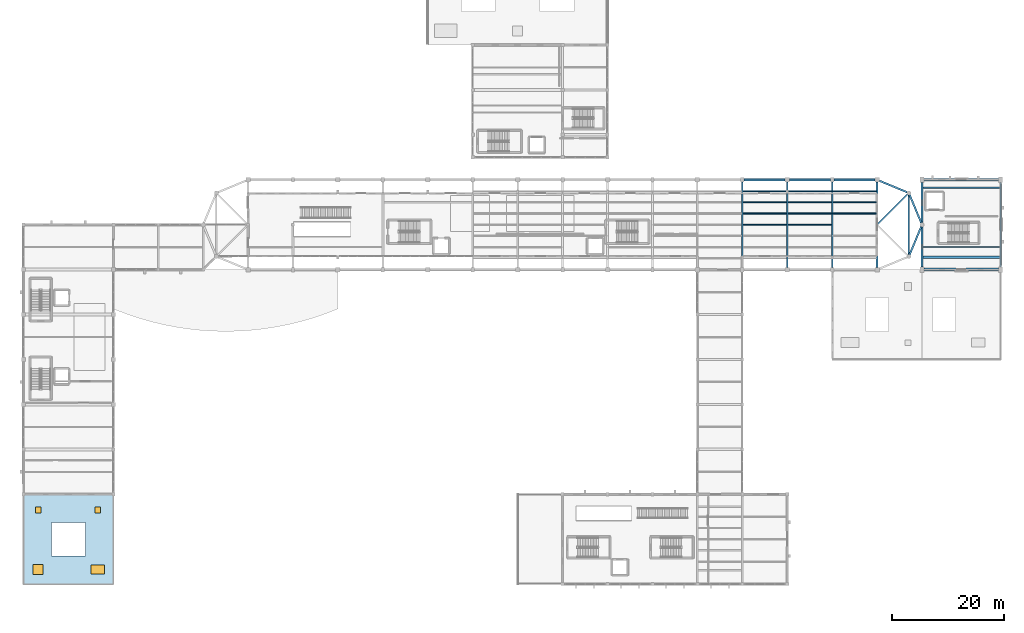
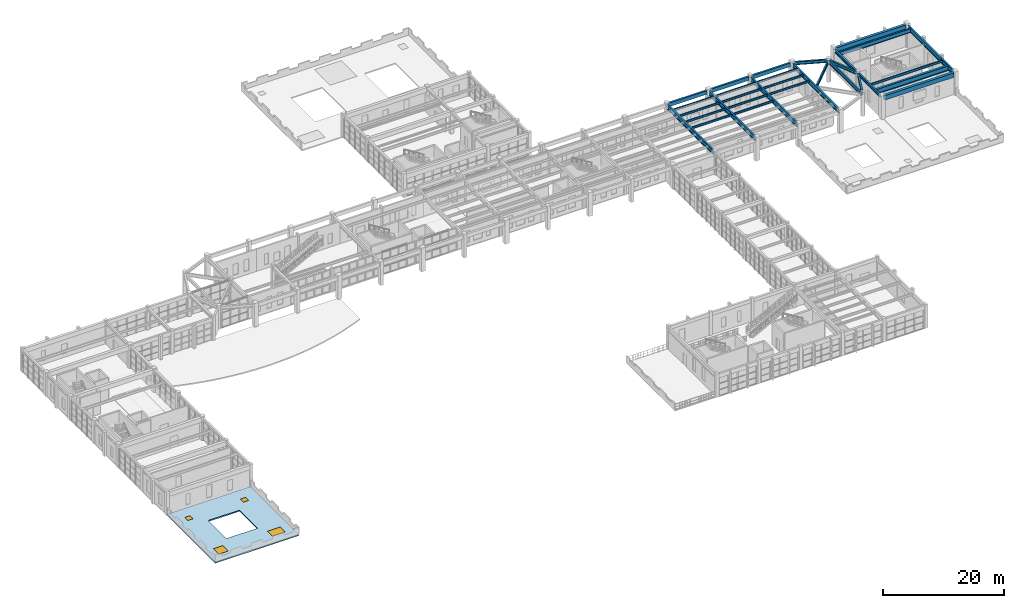
# One storey, part 27 of 59: 31 beams, 2 doors, 2 windows, 1 slab, 4 openings.
"""IFC4 building model written with IfcOpenShell, lengths in metres."""

from ifc_helpers import new_model, si_unit, direction, frame, origin, origin_2d, place, context, subcontext, project, spatial, polyline, rectangle, i_section, outline, extrude, material, layer, layer_set, material_profile, profile_set, type_object, element, fill, save


model = new_model("IFC4")

# Units and contexts
model_context = context("Model", 3, precision=1e-05, world=origin(), true_north=direction((0.0, 1.0)))
body_context = subcontext(model_context, "Body", "Model", "MODEL_VIEW")
ifc_project = project(units=[si_unit("LENGTHUNIT", "METRE"), si_unit("AREAUNIT", "SQUARE_METRE"), si_unit("VOLUMEUNIT", "CUBIC_METRE"), si_unit("PLANEANGLEUNIT", "RADIAN"), si_unit("MASSUNIT", "GRAM", prefix="KILO")], contexts=[model_context])

# Site, building, storey
site_placement = place(None, origin())
site = spatial("IfcSite", under=ifc_project, at=site_placement, CompositionType="ELEMENT")
building_placement = place(site_placement, origin())
building = spatial("IfcBuilding", under=site, at=building_placement, Name="Serraluz Foothill Cableway Terminal", CompositionType="ELEMENT")
storey_placement = place(building_placement, frame((0.0, 0.0, 4.800048828125)))
storey = spatial("IfcBuildingStorey", under=building, at=storey_placement, Name="L01", CompositionType="ELEMENT", Elevation=4.800048828125)

# Beams
ifc_material_1 = material(Name="Concrete C35/45 (f'c 35 MPa)", Category="concrete")
ifc_material_profile_1 = material_profile(ifc_material_1, rectangle(XDim=0.5, YDim=0.89990234375, at=origin_2d()), Name="RC 500x900")
ifc_profile_set_1 = profile_set([ifc_material_profile_1], Name="Concrete C35/45 (f'c 35 MPa)")
beam_type_1 = type_object("IfcBeamType", Name="TYP-BM-RC500X900", PredefinedType="BEAM", material=ifc_profile_set_1)
for number, where, z_axis, x_axis, name in (
    (1, (160.345947265625, 56.0, 4.050048828125), (1.0, 0.0, 0.0), (0.0, 1.0, 0.0), "Primary Girder BM-X-L01-0215"),
    (2, (160.345947265625, 72.0, 4.050048828125), (1.0, 0.0, 0.0), (0.0, 1.0, 0.0), "Primary Girder BM-X-L01-0233"),
):
    element("IfcBeam", number, at=place(storey_placement, frame(where, z_axis=z_axis, x_axis=x_axis)), inside=storey, type_object=beam_type_1, Name=name, PredefinedType="BEAM", context=body_context, shape_type="SweptSolid", body=[
        extrude(rectangle(XDim=0.5, YDim=0.89990234375, at=origin_2d()), origin(), (0.0, 0.0, 1.0), 13.30810546875),
    ])
ifc_material_2 = material(Name="Steel ASTM A992 Grade 50", Category="steel")
ifc_material_profile_2 = material_profile(ifc_material_2, i_section(OverallWidth=0.324951171875, OverallDepth=0.615966796875, WebThickness=0.013916015625, FlangeThickness=0.021484375, FilletRadius=0.01806640625, at=origin_2d()), Name="W24X117")
ifc_profile_set_2 = profile_set([ifc_material_profile_2], Name="Steel ASTM A992 Grade 50")
beam_type_2 = type_object("IfcBeamType", Name="TYP-BM-W24X117", PredefinedType="BEAM", material=ifc_profile_set_2)
for number, where, z_axis, x_axis, name in (
    (3, (160.0, 56.49609375, 4.19189453125), (0.0, 1.0, 0.0), (-1.0, 0.0, 0.0), "Transverse Girder BM-Y-L01-0293"),
    (4, (160.0, 64.37109375, 4.19189453125), (0.0, 1.0, 0.0), (-1.0, 0.0, 0.0), "Transverse Girder BM-Y-L01-0294"),
):
    element("IfcBeam", number, at=place(storey_placement, frame(where, z_axis=z_axis, x_axis=x_axis)), inside=storey, type_object=beam_type_2, Name=name, PredefinedType="BEAM", context=body_context, shape_type="SweptSolid", body=[
        extrude(i_section(OverallWidth=0.324951171875, OverallDepth=0.615966796875, WebThickness=0.013916015625, FlangeThickness=0.021484375, FilletRadius=0.01806640625, at=origin_2d()), origin(), (0.0, 0.0, 1.0), 7.1328125),
    ])
for number, where, z_axis, x_axis, name in (
    (5, (157.787109375, 58.6572265625, 4.1669921875), (0.382662116449, 0.923888361565, 0.0), (-0.923888361565, 0.382662116449, 0.0), "Curved End Ring Beam E-L01-2"),
    (6, (159.869873046875, 64.314208984375, 4.1669921875), (-0.382662116449, 0.923888361565, 0.0), (-0.923888361565, -0.382662116449, 0.0), "Curved End Ring Beam E-L01-3"),
    (7, (157.3427734375, 69.787109375, 4.1669921875), (-0.923888361565, 0.382662116449, 0.0), (-0.382662116449, -0.923888361565, 0.0), "Curved End Ring Beam E-L01-4"),
):
    element("IfcBeam", number, at=place(storey_placement, frame(where, z_axis=z_axis, x_axis=x_axis)), inside=storey, type_object=beam_type_2, Name=name, PredefinedType="BEAM", context=body_context, shape_type="SweptSolid", body=[
        extrude(i_section(OverallWidth=0.324951171875, OverallDepth=0.615966796875, WebThickness=0.013916015625, FlangeThickness=0.021484375, FilletRadius=0.01806640625, at=origin_2d()), origin(), (0.0, 0.0, 1.0), 5.44287109375),
    ])
ifc_material_profile_3 = material_profile(ifc_material_2, i_section(OverallWidth=0.256103515625, OverallDepth=0.693115234375, WebThickness=0.014404296875, FlangeThickness=0.023681640625, FilletRadius=0.02001953125, at=origin_2d()), Name="W27X114")
ifc_profile_set_3 = profile_set([ifc_material_profile_3], Name="Steel ASTM A992 Grade 50")
beam_type_3 = type_object("IfcBeamType", Name="TYP-BM-W27X114", PredefinedType="BEAM", material=ifc_profile_set_3)
beam_1_placement = place(storey_placement, frame((152.113037109375, 64.113037109375, 4.12841796875), z_axis=(0.707106781187, 0.707106781187, 0.0), x_axis=(-0.707106781187, 0.707106781187, 0.0)))
element("IfcBeam", 8, at=beam_1_placement, inside=storey, type_object=beam_type_3, Name="Radial Station Deck Girder E-L01-2", PredefinedType="BEAM", context=body_context, shape_type="SweptSolid", body=[
    extrude(i_section(OverallWidth=0.256103515625, OverallDepth=0.693115234375, WebThickness=0.014404296875, FlangeThickness=0.023681640625, FilletRadius=0.02001953125, at=origin_2d()), origin(), (0.0, 0.0, 1.0), 7.500244140625),
])
ifc_material_profile_4 = material_profile(ifc_material_2, i_section(OverallWidth=0.26806640625, OverallDepth=0.77001953125, WebThickness=0.015625, FlangeThickness=0.025390625, FilletRadius=0.02197265625, at=origin_2d()), Name="W30X132")
ifc_profile_set_4 = profile_set([ifc_material_profile_4], Name="Steel ASTM A992 Grade 50")
beam_type_4 = type_object("IfcBeamType", Name="TYP-BM-W30X132", PredefinedType="BEAM", material=ifc_profile_set_4)
beam_2_placement = place(storey_placement, frame((157.659912109375, 58.7109375, 4.08984375), z_axis=(0.0, 1.0, 0.0), x_axis=(-1.0, 0.0, 0.0)))
element("IfcBeam", 9, at=beam_2_placement, inside=storey, type_object=beam_type_4, Name="Transverse Girder BM-Y-L01-0292", PredefinedType="BEAM", context=body_context, shape_type="SweptSolid", body=[
    extrude(i_section(OverallWidth=0.26806640625, OverallDepth=0.77001953125, WebThickness=0.015625, FlangeThickness=0.025390625, FilletRadius=0.02197265625, at=origin_2d()), origin(), (0.0, 0.0, 1.0), 10.578125),
])
ifc_material_profile_5 = material_profile(ifc_material_2, i_section(OverallWidth=0.2939453125, OverallDepth=0.85107421875, WebThickness=0.01611328125, FlangeThickness=0.02685546875, FilletRadius=0.02392578125, at=origin_2d()), Name="W33X152")
ifc_profile_set_5 = profile_set([ifc_material_profile_5], Name="Steel ASTM A992 Grade 50")
beam_type_5 = type_object("IfcBeamType", Name="TYP-BM-W33X152", PredefinedType="BEAM", material=ifc_profile_set_5)
beam_3_placement = place(storey_placement, frame((160.1201171875, 70.60009765625, 4.074462890625), z_axis=(1.0, 0.0, 0.0), x_axis=(0.0, 1.0, 0.0)))
element("IfcBeam", 10, at=beam_3_placement, inside=storey, type_object=beam_type_5, Name="Machinery Support Girder BM-BW-2", PredefinedType="BEAM", context=body_context, shape_type="SweptSolid", body=[
    extrude(i_section(OverallWidth=0.2939453125, OverallDepth=0.85107421875, WebThickness=0.01611328125, FlangeThickness=0.02685546875, FilletRadius=0.02392578125, at=origin_2d()), origin(), (0.0, 0.0, 1.0), 13.759765625),
])
ifc_material_profile_6 = material_profile(ifc_material_2, i_section(OverallWidth=0.30810546875, OverallDepth=0.927001953125, WebThickness=0.019287109375, FlangeThickness=0.031982421875, FilletRadius=0.02587890625, at=origin_2d()), Name="W36X194")
ifc_profile_set_6 = profile_set([ifc_material_profile_6], Name="Steel ASTM A992 Grade 50")
beam_type_6 = type_object("IfcBeamType", Name="TYP-BM-W36X194", PredefinedType="BEAM", material=ifc_profile_set_6)
beam_4_placement = place(storey_placement, frame((128.0, 56.4208984375, 4.011474609375), z_axis=(0.0, 1.0, 0.0), x_axis=(-1.0, 0.0, 0.0)))
element("IfcBeam", 11, at=beam_4_placement, inside=storey, type_object=beam_type_6, Name="Transverse Girder BM-Y-L01-0287", PredefinedType="BEAM", context=body_context, shape_type="SweptSolid", body=[
    extrude(i_section(OverallWidth=0.30810546875, OverallDepth=0.927001953125, WebThickness=0.019287109375, FlangeThickness=0.031982421875, FilletRadius=0.02587890625, at=origin_2d()), origin(), (0.0, 0.0, 1.0), 15.158203125),
])
beam_5_placement = place(storey_placement, frame((136.0, 56.39599609375, 4.011474609375), z_axis=(0.0, 1.0, 0.0), x_axis=(-1.0, 0.0, 0.0)))
element("IfcBeam", 12, at=beam_5_placement, inside=storey, type_object=beam_type_6, Name="Transverse Girder BM-Y-L01-0289", PredefinedType="BEAM", context=body_context, shape_type="SweptSolid", body=[
    extrude(i_section(OverallWidth=0.30810546875, OverallDepth=0.927001953125, WebThickness=0.019287109375, FlangeThickness=0.031982421875, FilletRadius=0.02587890625, at=origin_2d()), origin(), (0.0, 0.0, 1.0), 15.2080078125),
])
beam_6_placement = place(storey_placement, frame((144.0, 56.4208984375, 4.011474609375), z_axis=(0.0, 1.0, 0.0), x_axis=(-1.0, 0.0, 0.0)))
element("IfcBeam", 13, at=beam_6_placement, inside=storey, type_object=beam_type_6, Name="Transverse Girder BM-Y-L01-0290", PredefinedType="BEAM", context=body_context, shape_type="SweptSolid", body=[
    extrude(i_section(OverallWidth=0.30810546875, OverallDepth=0.927001953125, WebThickness=0.019287109375, FlangeThickness=0.031982421875, FilletRadius=0.02587890625, at=origin_2d()), origin(), (0.0, 0.0, 1.0), 15.158203125),
])
beam_7_placement = place(storey_placement, frame((152.0, 56.39599609375, 4.011474609375), z_axis=(0.0, 1.0, 0.0), x_axis=(-1.0, 0.0, 0.0)))
element("IfcBeam", 14, at=beam_7_placement, inside=storey, type_object=beam_type_6, Name="Transverse Girder BM-Y-L01-0291", PredefinedType="BEAM", context=body_context, shape_type="SweptSolid", body=[
    extrude(i_section(OverallWidth=0.30810546875, OverallDepth=0.927001953125, WebThickness=0.019287109375, FlangeThickness=0.031982421875, FilletRadius=0.02587890625, at=origin_2d()), origin(), (0.0, 0.0, 1.0), 15.2080078125),
])
beam_8_placement = place(storey_placement, frame((174.0, 56.49609375, 4.036376953125), z_axis=(0.0, 1.0, 0.0), x_axis=(-1.0, 0.0, 0.0)))
element("IfcBeam", 15, at=beam_8_placement, inside=storey, type_object=beam_type_6, Name="Transverse Girder BM-Y-L01-0295", PredefinedType="BEAM", context=body_context, shape_type="SweptSolid", body=[
    extrude(i_section(OverallWidth=0.30810546875, OverallDepth=0.927001953125, WebThickness=0.019287109375, FlangeThickness=0.031982421875, FilletRadius=0.02587890625, at=origin_2d()), origin(), (0.0, 0.0, 1.0), 15.0078125),
])
ifc_material_profile_7 = material_profile(ifc_material_2, i_section(OverallWidth=0.40087890625, OverallDepth=1.02197265625, WebThickness=0.01904296875, FlangeThickness=0.0361328125, FilletRadius=0.028076171875, at=origin_2d()), Name="W40X249")
ifc_profile_set_7 = profile_set([ifc_material_profile_7], Name="Steel ASTM A992 Grade 50")
beam_type_7 = type_object("IfcBeamType", Name="TYP-BM-W40X249", PredefinedType="BEAM", material=ifc_profile_set_7)
beam_9_placement = place(storey_placement, frame((160.1201171875, 58.199951171875, 3.989013671875), z_axis=(1.0, 0.0, 0.0), x_axis=(0.0, 1.0, 0.0)))
element("IfcBeam", 16, at=beam_9_placement, inside=storey, type_object=beam_type_7, Name="Machinery Support Girder BM-BW-1", PredefinedType="BEAM", context=body_context, shape_type="SweptSolid", body=[
    extrude(i_section(OverallWidth=0.40087890625, OverallDepth=1.02197265625, WebThickness=0.01904296875, FlangeThickness=0.0361328125, FilletRadius=0.028076171875, at=origin_2d()), origin(), (0.0, 0.0, 1.0), 13.759765625),
])
ifc_material_profile_8 = material_profile(ifc_material_2, i_section(OverallWidth=0.180908203125, OverallDepth=0.4169921875, WebThickness=0.010986328125, FlangeThickness=0.018310546875, FilletRadius=0.013916015625, at=origin_2d()), Name="W16X57")
ifc_profile_set_8 = profile_set([ifc_material_profile_8], Name="Steel ASTM A992 Grade 50")
beam_type_8 = type_object("IfcBeamType", Name="TYP-JS-W16X57", PredefinedType="JOIST", material=ifc_profile_set_8)
for number, where, z_axis, x_axis, name in (
    (17, (128.158935546875, 64.0, 4.266357421875), (1.0, 0.0, 0.0), (0.0, 1.0, 0.0), "Secondary Floor Joist JS-L01-0116"),
    (18, (128.158935546875, 68.0, 4.266357421875), (1.0, 0.0, 0.0), (0.0, 1.0, 0.0), "Secondary Floor Joist JS-L01-0117"),
    (19, (136.158935546875, 64.0, 4.266357421875), (1.0, 0.0, 0.0), (0.0, 1.0, 0.0), "Secondary Floor Joist JS-L01-0119"),
    (20, (136.158935546875, 68.0, 4.266357421875), (1.0, 0.0, 0.0), (0.0, 1.0, 0.0), "Secondary Floor Joist JS-L01-0120"),
    (21, (144.158935546875, 68.0, 4.266357421875), (1.0, 0.0, 0.0), (0.0, 1.0, 0.0), "Secondary Floor Joist JS-L01-0122"),
):
    element("IfcBeam", number, at=place(storey_placement, frame(where, z_axis=z_axis, x_axis=x_axis)), inside=storey, type_object=beam_type_8, Name=name, PredefinedType="JOIST", context=body_context, shape_type="SweptSolid", body=[
        extrude(i_section(OverallWidth=0.180908203125, OverallDepth=0.4169921875, WebThickness=0.010986328125, FlangeThickness=0.018310546875, FilletRadius=0.013916015625, at=origin_2d()), origin(), (0.0, 0.0, 1.0), 7.68212890625),
    ])
for number, where, z_axis, x_axis, name in (
    (22, (128.139892578125, 66.0, 4.266357421875), (1.0, 0.0, 0.0), (0.0, 1.0, 0.0), "Composite Deck Joist L01-060"),
    (23, (128.139892578125, 70.0, 4.266357421875), (1.0, 0.0, 0.0), (0.0, 1.0, 0.0), "Composite Deck Joist L01-061"),
    (24, (136.139892578125, 66.0, 4.266357421875), (1.0, 0.0, 0.0), (0.0, 1.0, 0.0), "Composite Deck Joist L01-064"),
    (25, (136.139892578125, 70.0, 4.266357421875), (1.0, 0.0, 0.0), (0.0, 1.0, 0.0), "Composite Deck Joist L01-065"),
    (26, (144.139892578125, 66.0, 4.266357421875), (1.0, 0.0, 0.0), (0.0, 1.0, 0.0), "Composite Deck Joist L01-068"),
    (27, (144.139892578125, 70.0, 4.266357421875), (1.0, 0.0, 0.0), (0.0, 1.0, 0.0), "Composite Deck Joist L01-069"),
):
    element("IfcBeam", number, at=place(storey_placement, frame(where, z_axis=z_axis, x_axis=x_axis)), inside=storey, type_object=beam_type_8, Name=name, PredefinedType="JOIST", context=body_context, shape_type="SweptSolid", body=[
        extrude(i_section(OverallWidth=0.180908203125, OverallDepth=0.4169921875, WebThickness=0.010986328125, FlangeThickness=0.018310546875, FilletRadius=0.013916015625, at=origin_2d()), origin(), (0.0, 0.0, 1.0), 7.72021484375),
    ])
ifc_material_profile_9 = material_profile(ifc_material_2, i_section(OverallWidth=0.193115234375, OverallDepth=0.467041015625, WebThickness=0.011474609375, FlangeThickness=0.01904296875, FilletRadius=0.014892578125, at=origin_2d()), Name="W18X65")
ifc_profile_set_9 = profile_set([ifc_material_profile_9], Name="Steel ASTM A992 Grade 50")
beam_type_9 = type_object("IfcBeamType", Name="TYP-JS-W18X65", PredefinedType="JOIST", material=ifc_profile_set_9)
beam_10_placement = place(storey_placement, frame((160.16748046875, 60.0, 4.266357421875), z_axis=(1.0, 0.0, 0.0), x_axis=(0.0, 1.0, 0.0)))
element("IfcBeam", 28, at=beam_10_placement, inside=storey, type_object=beam_type_9, Name="Secondary Floor Joist JS-L01-0123", PredefinedType="JOIST", context=body_context, shape_type="SweptSolid", body=[
    extrude(i_section(OverallWidth=0.193115234375, OverallDepth=0.467041015625, WebThickness=0.011474609375, FlangeThickness=0.01904296875, FilletRadius=0.014892578125, at=origin_2d()), origin(), (0.0, 0.0, 1.0), 13.673583984375),
])
ifc_material_3 = material(Name="Precast concrete C40/50", Category="concrete")
ifc_material_profile_10 = material_profile(ifc_material_3, rectangle(XDim=0.35009765625, YDim=0.75, at=origin_2d()), Name="RC SP 350x750")
ifc_profile_set_10 = profile_set([ifc_material_profile_10], Name="Precast concrete C40/50")
beam_type_10 = type_object("IfcBeamType", Name="TYP-SP-RC350X750", PredefinedType="SPANDREL", material=ifc_profile_set_10)
for number, where, z_axis, x_axis, name in (
    (29, (128.2958984375, 72.0, 4.099853515625), (1.0, 0.0, 0.0), (0.0, 1.0, 0.0), "Primary Girder BM-X-L01-0230"),
    (30, (136.39599609375, 72.0, 4.099853515625), (1.0, 0.0, 0.0), (0.0, 1.0, 0.0), "Primary Girder BM-X-L01-0231"),
    (31, (144.2958984375, 72.0, 4.099853515625), (1.0, 0.0, 0.0), (0.0, 1.0, 0.0), "Primary Girder BM-X-L01-0232"),
):
    element("IfcBeam", number, at=place(storey_placement, frame(where, z_axis=z_axis, x_axis=x_axis)), inside=storey, type_object=beam_type_10, Name=name, PredefinedType="SPANDREL", context=body_context, shape_type="SweptSolid", body=[
        extrude(rectangle(XDim=0.35009765625, YDim=0.75, at=origin_2d()), origin(), (0.0, 0.0, 1.0), 7.30810546875),
    ])

# Slab, openings, doors, windows
ifc_material_4 = material(Name="Concrete C28/35 (f'c 28 MPa)", Category="concrete")
ifc_layer = layer(ifc_material_4, 0.239990234375, Name="Concrete C28/35 (f'c 28 MPa)", Category="concrete")
ifc_layer_set = layer_set([ifc_layer], Name="Concrete C28/35 (f'c 28 MPa)")
slab_type = type_object("IfcSlabType", Name="TYP-SLB-ROOF-240", PredefinedType="ROOF", material=ifc_layer_set)
slab_placement = place(storey_placement, frame((0.0, 0.0, -0.179931640625)))
slab = element("IfcSlab", 32, at=slab_placement, inside=storey, type_object=slab_type, Name="Structural Roof Deck ROOF-L01-V5S", PredefinedType="ROOF", context=body_context, shape_type="SweptSolid", body=[
    extrude(outline(polyline([(0.0, 0.0), (16.0, 0.0), (16.0, 16.0), (0.0, 16.0), (0.0, 0.0)]), holes=[polyline([(5.0, 5.0), (11.0, 5.0), (11.0, 11.0), (5.0, 11.0), (5.0, 5.0)])]), origin(), (0.0, 0.0, 1.0), 0.239990234375),
])
opening_1_placement = place(slab_placement, frame((2.60009765625, 2.60009765625, -0.010009765625)))
opening_1 = element("IfcOpeningElement", 33, at=opening_1_placement, cuts=slab, Name="Opening SK-01", PredefinedType="OPENING", context=body_context, shape_type="SweptSolid", body=[
    extrude(rectangle(XDim=1.800048828125, YDim=1.800048828125, at=origin_2d()), origin(), (0.0, 0.0, 1.0), 0.260009765625),
])
opening_2_placement = place(slab_placement, frame((13.199951171875, 2.60009765625, -0.010009765625)))
opening_2 = element("IfcOpeningElement", 34, at=opening_2_placement, cuts=slab, Name="Opening SK-02", PredefinedType="OPENING", context=body_context, shape_type="SweptSolid", body=[
    extrude(rectangle(XDim=2.39990234375, YDim=1.60009765625, at=origin_2d()), origin(), (0.0, 0.0, 1.0), 0.260009765625),
])
opening_3_placement = place(slab_placement, frame((2.60009765625, 13.199951171875, -0.010009765625)))
opening_3 = element("IfcOpeningElement", 35, at=opening_3_placement, cuts=slab, Name="Opening RH-01", PredefinedType="OPENING", context=body_context, shape_type="SweptSolid", body=[
    extrude(rectangle(XDim=1.0, YDim=1.0, at=origin_2d()), origin(), (0.0, 0.0, 1.0), 0.260009765625),
])
opening_4_placement = place(slab_placement, frame((13.199951171875, 13.199951171875, -0.010009765625)))
opening_4 = element("IfcOpeningElement", 36, at=opening_4_placement, cuts=slab, Name="Opening RH-01", PredefinedType="OPENING", context=body_context, shape_type="SweptSolid", body=[
    extrude(rectangle(XDim=1.0, YDim=1.0, at=origin_2d()), origin(), (0.0, 0.0, 1.0), 0.260009765625),
])
ifc_material_5 = material(Name="Architectural bronze alloy C28000", Category="aluminium")
door_type = type_object("IfcDoorType", Name="TYP-HT-ROOF-1000", OperationType="SINGLE_SWING_LEFT", PredefinedType="TRAPDOOR", material=ifc_material_5)
door_1_placement = place(slab_placement, frame((2.60009765625, 13.199951171875, 0.18994140625)))
door_1 = element("IfcDoor", 37, at=door_1_placement, inside=storey, type_object=door_type, Name="Roof Skylight or Access Hatch HT-L01-V5-1", OperationType="SINGLE_SWING_LEFT", OverallHeight=1.0, OverallWidth=1.0, PredefinedType="TRAPDOOR", context=body_context, shape_type="SweptSolid", body=[
    extrude(rectangle(XDim=1.0, YDim=1.0, at=origin_2d()), origin(), (0.0, 0.0, 1.0), 0.050048828125),
])
fill(opening_3, door_1)
door_2_placement = place(slab_placement, frame((13.199951171875, 13.199951171875, 0.18994140625)))
door_2 = element("IfcDoor", 38, at=door_2_placement, inside=storey, type_object=door_type, Name="Roof Skylight or Access Hatch HT-L01-V5-2", OperationType="SINGLE_SWING_LEFT", OverallHeight=1.0, OverallWidth=1.0, PredefinedType="TRAPDOOR", context=body_context, shape_type="SweptSolid", body=[
    extrude(rectangle(XDim=1.0, YDim=1.0, at=origin_2d()), origin(), (0.0, 0.0, 1.0), 0.050048828125),
])
fill(opening_4, door_2)
ifc_material_6 = material(Name="Laminated low-E safety glass", Category="glass")
window_type_1 = type_object("IfcWindowType", Name="TYP-SK-180X180", PartitioningType="SINGLE_PANEL", PredefinedType="SKYLIGHT", material=ifc_material_6)
window_1_placement = place(slab_placement, frame((2.60009765625, 2.60009765625, 0.18994140625)))
window_1 = element("IfcWindow", 39, at=window_1_placement, inside=storey, type_object=window_type_1, Name="Roof Skylight or Access Hatch SK-L01-V5-1", OverallHeight=1.800048828125, OverallWidth=1.800048828125, PartitioningType="SINGLE_PANEL", PredefinedType="SKYLIGHT", context=body_context, shape_type="SweptSolid", body=[
    extrude(rectangle(XDim=1.800048828125, YDim=1.800048828125, at=origin_2d()), origin(), (0.0, 0.0, 1.0), 0.050048828125),
])
fill(opening_1, window_1)
window_type_2 = type_object("IfcWindowType", Name="TYP-SK-240X160", PartitioningType="DOUBLE_PANEL_VERTICAL", PredefinedType="SKYLIGHT", material=ifc_material_6)
window_2_placement = place(slab_placement, frame((13.199951171875, 2.60009765625, 0.18994140625)))
window_2 = element("IfcWindow", 40, at=window_2_placement, inside=storey, type_object=window_type_2, Name="Roof Skylight or Access Hatch SK-L01-V5-2", OverallHeight=1.60009765625, OverallWidth=2.39990234375, PartitioningType="SINGLE_PANEL", PredefinedType="SKYLIGHT", context=body_context, shape_type="SweptSolid", body=[
    extrude(rectangle(XDim=2.39990234375, YDim=1.60009765625, at=origin_2d()), origin(), (0.0, 0.0, 1.0), 0.050048828125),
])
fill(opening_2, window_2)

save(model, "model.ifc")
